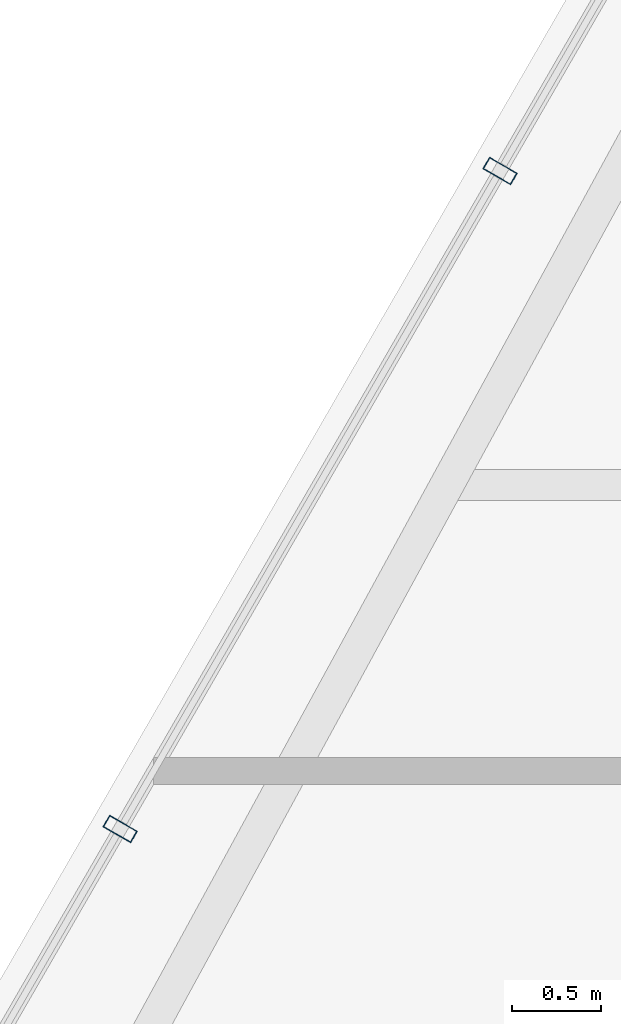
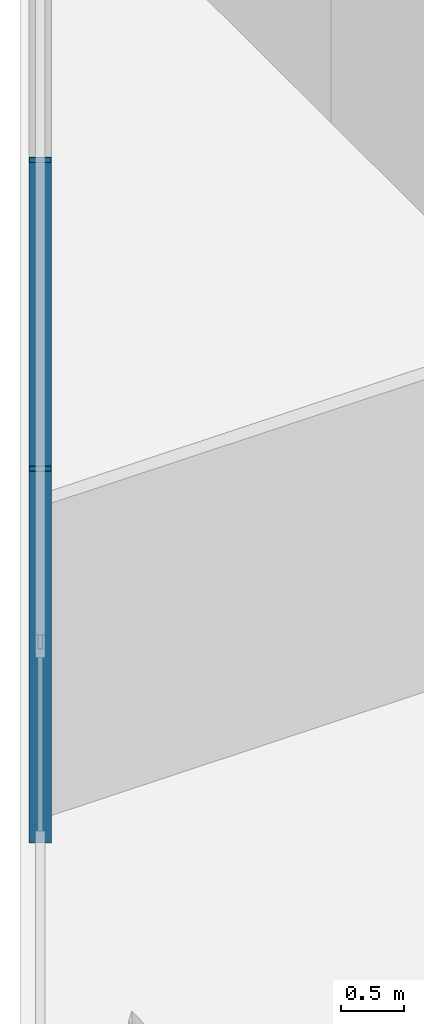
# One storey, part 4 of 34: 2 members, 1 element without a shape of its own.
"""IFC4 building model written with IfcOpenShell, lengths in metres."""

from ifc_helpers import new_model, si_unit, direction, frame, origin, origin_2d, place, context, subcontext, project, spatial, hollow_rectangle, extrude, material, layer, layer_set, material_profile, profile_set, type_object, element, aggregate, save


model = new_model("IFC4")

# Units and contexts
model_context = context("Model", 3, precision=1e-05, world=origin(), true_north=direction((0.0, 1.0)))
body_context = subcontext(model_context, "Body", "Model", "MODEL_VIEW")
ifc_project = project(units=[si_unit("LENGTHUNIT", "METRE"), si_unit("AREAUNIT", "SQUARE_METRE"), si_unit("VOLUMEUNIT", "CUBIC_METRE"), si_unit("PLANEANGLEUNIT", "RADIAN"), si_unit("MASSUNIT", "GRAM", prefix="KILO")], contexts=[model_context])

# Site, building, storey
site_placement = place(None, origin())
site = spatial("IfcSite", under=ifc_project, at=site_placement, CompositionType="ELEMENT")
building_placement = place(site_placement, origin())
building = spatial("IfcBuilding", under=site, at=building_placement, Name="Ndaravel Arena Tower", CompositionType="ELEMENT")
storey_placement = place(building_placement, frame((0.0, 0.0, 195.39990234375)))
storey = spatial("IfcBuildingStorey", under=building, at=storey_placement, Name="L47", CompositionType="ELEMENT", Elevation=195.39990234375)

# Curtain wall, members
ifc_material_1 = material(Name="Aluminium", Category="aluminium")
ifc_layer = layer(ifc_material_1, 0.179931640625)
ifc_layer_set = layer_set([ifc_layer], Name="Aluminium")
curtain_wall_type = type_object("IfcCurtainWallType", Name="CW-SYS-03", PredefinedType="NOTDEFINED", material=ifc_layer_set)
curtain_wall_placement = place(storey_placement, origin())
curtain_wall = element("IfcCurtainWall", 1, at=curtain_wall_placement, inside=storey, type_object=curtain_wall_type, Name="L47 Faceted Crystal Curtain Wall CW-L47-E05", PredefinedType="NOTDEFINED")
ifc_material_2 = material(Name="Aluminium", Category="aluminium")
ifc_material_profile = material_profile(ifc_material_2, hollow_rectangle(XDim=0.074951171875, YDim=0.179931640625, WallThickness=0.00390625, at=origin_2d()), Name="CW MULLION 75x180x4")
ifc_profile_set = profile_set([ifc_material_profile], Name="Aluminium")
member_type = type_object("IfcMemberType", Name="MEM-CW-MUL180", PredefinedType="MULLION", material=ifc_profile_set)
member_1_placement = place(storey_placement, frame((22.59912109375, 20.356689453125, 0.0), z_axis=(0.0, 0.0, 1.0), x_axis=(-0.5, -0.866025403784, 0.0)))
member_1 = element("IfcMember", 2, at=member_1_placement, type_object=member_type, Name="CW-L47-E05 Mullion 07", PredefinedType="MULLION", context=body_context, shape_type="SweptSolid", body=[
    extrude(hollow_rectangle(XDim=0.074951171875, YDim=0.179931640625, WallThickness=0.00390625, at=origin_2d()), origin(), (0.0, 0.0, 1.0), 3.580078125),
])
member_2_placement = place(storey_placement, frame((20.4736328125, 16.67529296875, 0.0), z_axis=(0.0, 0.0, 1.0), x_axis=(-0.5, -0.866025403784, 0.0)))
member_2 = element("IfcMember", 3, at=member_2_placement, type_object=member_type, Name="CW-L47-E05 Mullion 08", PredefinedType="MULLION", context=body_context, shape_type="SweptSolid", body=[
    extrude(hollow_rectangle(XDim=0.074951171875, YDim=0.179931640625, WallThickness=0.00390625, at=origin_2d()), origin(), (0.0, 0.0, 1.0), 3.580078125),
])
aggregate(curtain_wall, [member_1, member_2])

save(model, "model.ifc")
